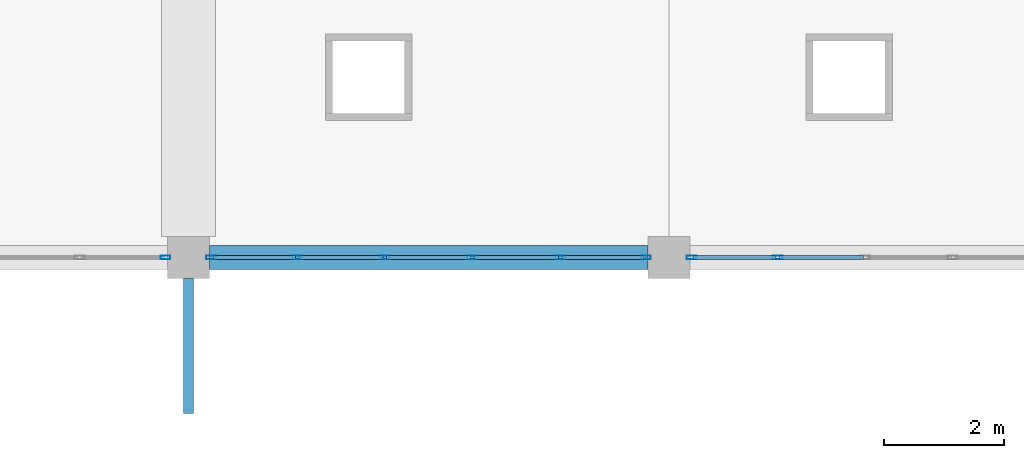
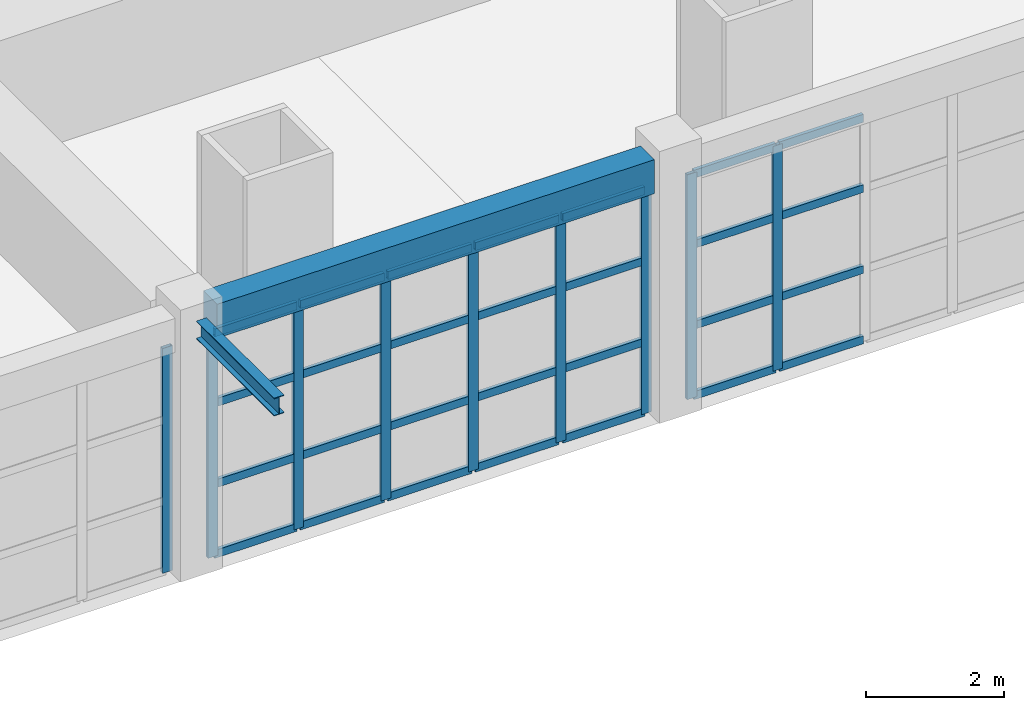
# One storey, part 7 of 50: 37 members, 2 beams, 3 elements without a shape of their own.
"""IFC4 building model written with IfcOpenShell, lengths in metres."""

from ifc_helpers import new_model, si_unit, direction, frame, origin, origin_2d, place, context, subcontext, project, spatial, rectangle, hollow_rectangle, i_section, extrude, material, material_profile, profile_set, type_object, element, aggregate, save


model = new_model("IFC4")

# Units and contexts
model_context = context("Model", 3, precision=1e-05, world=origin(), true_north=direction((0.0, 1.0)))
body_context = subcontext(model_context, "Body", "Model", "MODEL_VIEW")
ifc_project = project(units=[si_unit("LENGTHUNIT", "METRE"), si_unit("AREAUNIT", "SQUARE_METRE"), si_unit("VOLUMEUNIT", "CUBIC_METRE"), si_unit("PLANEANGLEUNIT", "RADIAN"), si_unit("MASSUNIT", "GRAM", prefix="KILO")], contexts=[model_context])

# Site, building, storey
site_placement = place(None, origin())
site = spatial("IfcSite", under=ifc_project, at=site_placement, CompositionType="ELEMENT")
building_placement = place(site_placement, origin())
building = spatial("IfcBuilding", under=site, at=building_placement, Name="Zantavel Square City Hall", CompositionType="ELEMENT")
storey_placement = place(building_placement, frame((0.0, 0.0, 18.89990234375)))
storey = spatial("IfcBuildingStorey", under=building, at=storey_placement, Name="L05", CompositionType="ELEMENT", Elevation=18.89990234375)

# Curtain wall, members
ifc_material_1 = material(Name="Anodised aluminium 6063-T6", Category="aluminium")
curtain_wall_type = type_object("IfcCurtainWallType", Name="Curtain Wall TRV1 7300x3970", PredefinedType="USERDEFINED", material=ifc_material_1)
curtain_wall_1_placement = place(storey_placement, origin())
curtain_wall_1 = element("IfcCurtainWall", 1, at=curtain_wall_1_placement, inside=storey, type_object=curtain_wall_type, Name="L05 Glazed Curtain Wall CW-L05-136", ObjectType="GLAZED CURTAIN WALL", PredefinedType="USERDEFINED")
ifc_material_profile_1 = material_profile(ifc_material_1, hollow_rectangle(XDim=0.06005859375, YDim=0.1650390625, WallThickness=0.00390625, at=origin_2d()), Name="ALU 60x165x4")
ifc_profile_set_1 = profile_set([ifc_material_profile_1], Name="Anodised aluminium 6063-T6")
member_type_1 = type_object("IfcMemberType", Name="CW Council Gallery Mullion ALU 60x165x4", PredefinedType="MULLION", material=ifc_profile_set_1)
member_1_placement = place(storey_placement, frame((81.81005859375, 30.39990234375, 0.0), z_axis=(0.0, 0.0, 1.0), x_axis=(0.0, -1.0, 0.0)))
member_1 = element("IfcMember", 2, at=member_1_placement, type_object=member_type_1, Name="CW-136 mullion 5", PredefinedType="MULLION", context=body_context, shape_type="SweptSolid", body=[
    extrude(hollow_rectangle(XDim=0.06005859375, YDim=0.1650390625, WallThickness=0.00390625, at=origin_2d()), origin(), (0.0, 0.0, 1.0), 3.97021484375),
])
member_2_placement = place(storey_placement, frame((80.3798828125, 30.39990234375, 0.0), z_axis=(0.0, 0.0, 1.0), x_axis=(0.0, -1.0, 0.0)))
member_2 = element("IfcMember", 3, at=member_2_placement, type_object=member_type_1, Name="CW-136 mullion 6", PredefinedType="MULLION", context=body_context, shape_type="SweptSolid", body=[
    extrude(hollow_rectangle(XDim=0.06005859375, YDim=0.1650390625, WallThickness=0.00390625, at=origin_2d()), origin(), (0.0, 0.0, 1.0), 3.97021484375),
])

curtain_wall_2_placement = place(storey_placement, origin())
curtain_wall_2 = element("IfcCurtainWall", 4, at=curtain_wall_2_placement, inside=storey, type_object=curtain_wall_type, Name="L05 Glazed Curtain Wall CW-L05-137", ObjectType="GLAZED CURTAIN WALL", PredefinedType="USERDEFINED")
member_3_placement = place(storey_placement, frame((79.6201171875, 30.39990234375, 0.0), z_axis=(0.0, 0.0, 1.0), x_axis=(0.0, -1.0, 0.0)))
member_3 = element("IfcMember", 5, at=member_3_placement, type_object=member_type_1, Name="CW-137 mullion 1", PredefinedType="MULLION", context=body_context, shape_type="SweptSolid", body=[
    extrude(hollow_rectangle(XDim=0.06005859375, YDim=0.1650390625, WallThickness=0.00390625, at=origin_2d()), origin(), (0.0, 0.0, 1.0), 3.97021484375),
])
member_4_placement = place(storey_placement, frame((78.18994140625, 30.39990234375, 0.0), z_axis=(0.0, 0.0, 1.0), x_axis=(0.0, -1.0, 0.0)))
member_4 = element("IfcMember", 6, at=member_4_placement, type_object=member_type_1, Name="CW-137 mullion 2", PredefinedType="MULLION", context=body_context, shape_type="SweptSolid", body=[
    extrude(hollow_rectangle(XDim=0.06005859375, YDim=0.1650390625, WallThickness=0.00390625, at=origin_2d()), origin(), (0.0, 0.0, 1.0), 3.97021484375),
])
member_5_placement = place(storey_placement, frame((76.72998046875, 30.39990234375, 0.0), z_axis=(0.0, 0.0, 1.0), x_axis=(0.0, -1.0, 0.0)))
member_5 = element("IfcMember", 7, at=member_5_placement, type_object=member_type_1, Name="CW-137 mullion 3", PredefinedType="MULLION", context=body_context, shape_type="SweptSolid", body=[
    extrude(hollow_rectangle(XDim=0.06005859375, YDim=0.1650390625, WallThickness=0.00390625, at=origin_2d()), origin(), (0.0, 0.0, 1.0), 3.97021484375),
])
member_6_placement = place(storey_placement, frame((75.27001953125, 30.39990234375, 0.0), z_axis=(0.0, 0.0, 1.0), x_axis=(0.0, -1.0, 0.0)))
member_6 = element("IfcMember", 8, at=member_6_placement, type_object=member_type_1, Name="CW-137 mullion 4", PredefinedType="MULLION", context=body_context, shape_type="SweptSolid", body=[
    extrude(hollow_rectangle(XDim=0.06005859375, YDim=0.1650390625, WallThickness=0.00390625, at=origin_2d()), origin(), (0.0, 0.0, 1.0), 3.97021484375),
])
member_7_placement = place(storey_placement, frame((73.81005859375, 30.39990234375, 0.0), z_axis=(0.0, 0.0, 1.0), x_axis=(0.0, -1.0, 0.0)))
member_7 = element("IfcMember", 9, at=member_7_placement, type_object=member_type_1, Name="CW-137 mullion 5", PredefinedType="MULLION", context=body_context, shape_type="SweptSolid", body=[
    extrude(hollow_rectangle(XDim=0.06005859375, YDim=0.1650390625, WallThickness=0.00390625, at=origin_2d()), origin(), (0.0, 0.0, 1.0), 3.97021484375),
])
member_8_placement = place(storey_placement, frame((72.3798828125, 30.39990234375, 0.0), z_axis=(0.0, 0.0, 1.0), x_axis=(0.0, -1.0, 0.0)))
member_8 = element("IfcMember", 10, at=member_8_placement, type_object=member_type_1, Name="CW-137 mullion 6", PredefinedType="MULLION", context=body_context, shape_type="SweptSolid", body=[
    extrude(hollow_rectangle(XDim=0.06005859375, YDim=0.1650390625, WallThickness=0.00390625, at=origin_2d()), origin(), (0.0, 0.0, 1.0), 3.97021484375),
])

# Curtain wall, member
curtain_wall_3_placement = place(storey_placement, origin())
curtain_wall_3 = element("IfcCurtainWall", 11, at=curtain_wall_3_placement, inside=storey, type_object=curtain_wall_type, Name="L05 Glazed Curtain Wall CW-L05-138", ObjectType="GLAZED CURTAIN WALL", PredefinedType="USERDEFINED")
member_9_placement = place(storey_placement, frame((71.6201171875, 30.39990234375, 0.0), z_axis=(0.0, 0.0, 1.0), x_axis=(0.0, -1.0, 0.0)))
member_9 = element("IfcMember", 12, at=member_9_placement, type_object=member_type_1, Name="CW-138 mullion 1", PredefinedType="MULLION", context=body_context, shape_type="SweptSolid", body=[
    extrude(hollow_rectangle(XDim=0.06005859375, YDim=0.1650390625, WallThickness=0.00390625, at=origin_2d()), origin(), (0.0, 0.0, 1.0), 3.97021484375),
])
aggregate(curtain_wall_3, [member_9])

# Member
ifc_material_profile_2 = material_profile(ifc_material_1, hollow_rectangle(XDim=0.06005859375, YDim=0.139892578125, WallThickness=0.00390625, at=origin_2d()), Name="ALU 60x140x4")
ifc_profile_set_2 = profile_set([ifc_material_profile_2], Name="Anodised aluminium 6063-T6")
member_type_2 = type_object("IfcMemberType", Name="CW Transom ALU 60x140x4", PredefinedType="USERDEFINED", material=ifc_profile_set_2)
member_10_placement = place(storey_placement, frame((83.239990234375, 30.39990234375, 0.030029296875), z_axis=(-1.0, 0.0, 0.0), x_axis=(0.0, -1.0, 0.0)))
member_10 = element("IfcMember", 13, at=member_10_placement, type_object=member_type_2, Name="CW-136 transom 4.1", ObjectType="TRANSOM", PredefinedType="USERDEFINED", context=body_context, shape_type="SweptSolid", body=[
    extrude(hollow_rectangle(XDim=0.06005859375, YDim=0.139892578125, WallThickness=0.00390625, at=origin_2d()), origin(), (0.0, 0.0, 1.0), 1.39990234375),
])

member_11_placement = place(storey_placement, frame((83.239990234375, 30.39990234375, 1.27001953125), z_axis=(-1.0, 0.0, 0.0), x_axis=(0.0, -1.0, 0.0)))
member_11 = element("IfcMember", 14, at=member_11_placement, type_object=member_type_2, Name="CW-136 transom 4.2", ObjectType="TRANSOM", PredefinedType="USERDEFINED", context=body_context, shape_type="SweptSolid", body=[
    extrude(hollow_rectangle(XDim=0.06005859375, YDim=0.139892578125, WallThickness=0.00390625, at=origin_2d()), origin(), (0.0, 0.0, 1.0), 1.39990234375),
])

member_12_placement = place(storey_placement, frame((83.239990234375, 30.39990234375, 2.7001953125), z_axis=(-1.0, 0.0, 0.0), x_axis=(0.0, -1.0, 0.0)))
member_12 = element("IfcMember", 15, at=member_12_placement, type_object=member_type_2, Name="CW-136 transom 4.3", ObjectType="TRANSOM", PredefinedType="USERDEFINED", context=body_context, shape_type="SweptSolid", body=[
    extrude(hollow_rectangle(XDim=0.06005859375, YDim=0.139892578125, WallThickness=0.00390625, at=origin_2d()), origin(), (0.0, 0.0, 1.0), 1.39990234375),
])

member_13_placement = place(storey_placement, frame((83.239990234375, 30.39990234375, 3.940185546875), z_axis=(-1.0, 0.0, 0.0), x_axis=(0.0, -1.0, 0.0)))
member_13 = element("IfcMember", 16, at=member_13_placement, type_object=member_type_2, Name="CW-136 transom 4.4", ObjectType="TRANSOM", PredefinedType="USERDEFINED", context=body_context, shape_type="SweptSolid", body=[
    extrude(hollow_rectangle(XDim=0.06005859375, YDim=0.139892578125, WallThickness=0.00390625, at=origin_2d()), origin(), (0.0, 0.0, 1.0), 1.39990234375),
])

member_14_placement = place(storey_placement, frame((81.780029296875, 30.39990234375, 0.030029296875), z_axis=(-1.0, 0.0, 0.0), x_axis=(0.0, -1.0, 0.0)))
member_14 = element("IfcMember", 17, at=member_14_placement, type_object=member_type_2, Name="CW-136 transom 5.1", ObjectType="TRANSOM", PredefinedType="USERDEFINED", context=body_context, shape_type="SweptSolid", body=[
    extrude(hollow_rectangle(XDim=0.06005859375, YDim=0.139892578125, WallThickness=0.00390625, at=origin_2d()), origin(), (0.0, 0.0, 1.0), 1.3701171875),
])

member_15_placement = place(storey_placement, frame((81.780029296875, 30.39990234375, 1.27001953125), z_axis=(-1.0, 0.0, 0.0), x_axis=(0.0, -1.0, 0.0)))
member_15 = element("IfcMember", 18, at=member_15_placement, type_object=member_type_2, Name="CW-136 transom 5.2", ObjectType="TRANSOM", PredefinedType="USERDEFINED", context=body_context, shape_type="SweptSolid", body=[
    extrude(hollow_rectangle(XDim=0.06005859375, YDim=0.139892578125, WallThickness=0.00390625, at=origin_2d()), origin(), (0.0, 0.0, 1.0), 1.3701171875),
])

member_16_placement = place(storey_placement, frame((81.780029296875, 30.39990234375, 2.7001953125), z_axis=(-1.0, 0.0, 0.0), x_axis=(0.0, -1.0, 0.0)))
member_16 = element("IfcMember", 19, at=member_16_placement, type_object=member_type_2, Name="CW-136 transom 5.3", ObjectType="TRANSOM", PredefinedType="USERDEFINED", context=body_context, shape_type="SweptSolid", body=[
    extrude(hollow_rectangle(XDim=0.06005859375, YDim=0.139892578125, WallThickness=0.00390625, at=origin_2d()), origin(), (0.0, 0.0, 1.0), 1.3701171875),
])

member_17_placement = place(storey_placement, frame((81.780029296875, 30.39990234375, 3.940185546875), z_axis=(-1.0, 0.0, 0.0), x_axis=(0.0, -1.0, 0.0)))
member_17 = element("IfcMember", 20, at=member_17_placement, type_object=member_type_2, Name="CW-136 transom 5.4", ObjectType="TRANSOM", PredefinedType="USERDEFINED", context=body_context, shape_type="SweptSolid", body=[
    extrude(hollow_rectangle(XDim=0.06005859375, YDim=0.139892578125, WallThickness=0.00390625, at=origin_2d()), origin(), (0.0, 0.0, 1.0), 1.3701171875),
])

aggregate(curtain_wall_1, [member_1, member_2, member_10, member_11, member_12, member_13, member_14, member_15, member_16, member_17])

member_18_placement = place(storey_placement, frame((79.590087890625, 30.39990234375, 0.030029296875), z_axis=(-1.0, 0.0, 0.0), x_axis=(0.0, -1.0, 0.0)))
member_18 = element("IfcMember", 21, at=member_18_placement, type_object=member_type_2, Name="CW-137 transom 1.1", ObjectType="TRANSOM", PredefinedType="USERDEFINED", context=body_context, shape_type="SweptSolid", body=[
    extrude(hollow_rectangle(XDim=0.06005859375, YDim=0.139892578125, WallThickness=0.00390625, at=origin_2d()), origin(), (0.0, 0.0, 1.0), 1.3701171875),
])

member_19_placement = place(storey_placement, frame((79.590087890625, 30.39990234375, 1.27001953125), z_axis=(-1.0, 0.0, 0.0), x_axis=(0.0, -1.0, 0.0)))
member_19 = element("IfcMember", 22, at=member_19_placement, type_object=member_type_2, Name="CW-137 transom 1.2", ObjectType="TRANSOM", PredefinedType="USERDEFINED", context=body_context, shape_type="SweptSolid", body=[
    extrude(hollow_rectangle(XDim=0.06005859375, YDim=0.139892578125, WallThickness=0.00390625, at=origin_2d()), origin(), (0.0, 0.0, 1.0), 1.3701171875),
])

member_20_placement = place(storey_placement, frame((79.590087890625, 30.39990234375, 2.7001953125), z_axis=(-1.0, 0.0, 0.0), x_axis=(0.0, -1.0, 0.0)))
member_20 = element("IfcMember", 23, at=member_20_placement, type_object=member_type_2, Name="CW-137 transom 1.3", ObjectType="TRANSOM", PredefinedType="USERDEFINED", context=body_context, shape_type="SweptSolid", body=[
    extrude(hollow_rectangle(XDim=0.06005859375, YDim=0.139892578125, WallThickness=0.00390625, at=origin_2d()), origin(), (0.0, 0.0, 1.0), 1.3701171875),
])

member_21_placement = place(storey_placement, frame((79.590087890625, 30.39990234375, 3.940185546875), z_axis=(-1.0, 0.0, 0.0), x_axis=(0.0, -1.0, 0.0)))
member_21 = element("IfcMember", 24, at=member_21_placement, type_object=member_type_2, Name="CW-137 transom 1.4", ObjectType="TRANSOM", PredefinedType="USERDEFINED", context=body_context, shape_type="SweptSolid", body=[
    extrude(hollow_rectangle(XDim=0.06005859375, YDim=0.139892578125, WallThickness=0.00390625, at=origin_2d()), origin(), (0.0, 0.0, 1.0), 1.3701171875),
])

member_22_placement = place(storey_placement, frame((78.159912109375, 30.39990234375, 0.030029296875), z_axis=(-1.0, 0.0, 0.0), x_axis=(0.0, -1.0, 0.0)))
member_22 = element("IfcMember", 25, at=member_22_placement, type_object=member_type_2, Name="CW-137 transom 2.1", ObjectType="TRANSOM", PredefinedType="USERDEFINED", context=body_context, shape_type="SweptSolid", body=[
    extrude(hollow_rectangle(XDim=0.06005859375, YDim=0.139892578125, WallThickness=0.00390625, at=origin_2d()), origin(), (0.0, 0.0, 1.0), 1.39990234375),
])

member_23_placement = place(storey_placement, frame((78.159912109375, 30.39990234375, 1.27001953125), z_axis=(-1.0, 0.0, 0.0), x_axis=(0.0, -1.0, 0.0)))
member_23 = element("IfcMember", 26, at=member_23_placement, type_object=member_type_2, Name="CW-137 transom 2.2", ObjectType="TRANSOM", PredefinedType="USERDEFINED", context=body_context, shape_type="SweptSolid", body=[
    extrude(hollow_rectangle(XDim=0.06005859375, YDim=0.139892578125, WallThickness=0.00390625, at=origin_2d()), origin(), (0.0, 0.0, 1.0), 1.39990234375),
])

member_24_placement = place(storey_placement, frame((78.159912109375, 30.39990234375, 2.7001953125), z_axis=(-1.0, 0.0, 0.0), x_axis=(0.0, -1.0, 0.0)))
member_24 = element("IfcMember", 27, at=member_24_placement, type_object=member_type_2, Name="CW-137 transom 2.3", ObjectType="TRANSOM", PredefinedType="USERDEFINED", context=body_context, shape_type="SweptSolid", body=[
    extrude(hollow_rectangle(XDim=0.06005859375, YDim=0.139892578125, WallThickness=0.00390625, at=origin_2d()), origin(), (0.0, 0.0, 1.0), 1.39990234375),
])

member_25_placement = place(storey_placement, frame((78.159912109375, 30.39990234375, 3.940185546875), z_axis=(-1.0, 0.0, 0.0), x_axis=(0.0, -1.0, 0.0)))
member_25 = element("IfcMember", 28, at=member_25_placement, type_object=member_type_2, Name="CW-137 transom 2.4", ObjectType="TRANSOM", PredefinedType="USERDEFINED", context=body_context, shape_type="SweptSolid", body=[
    extrude(hollow_rectangle(XDim=0.06005859375, YDim=0.139892578125, WallThickness=0.00390625, at=origin_2d()), origin(), (0.0, 0.0, 1.0), 1.39990234375),
])

member_26_placement = place(storey_placement, frame((76.699951171875, 30.39990234375, 0.030029296875), z_axis=(-1.0, 0.0, 0.0), x_axis=(0.0, -1.0, 0.0)))
member_26 = element("IfcMember", 29, at=member_26_placement, type_object=member_type_2, Name="CW-137 transom 3.1", ObjectType="TRANSOM", PredefinedType="USERDEFINED", context=body_context, shape_type="SweptSolid", body=[
    extrude(hollow_rectangle(XDim=0.06005859375, YDim=0.139892578125, WallThickness=0.00390625, at=origin_2d()), origin(), (0.0, 0.0, 1.0), 1.39990234375),
])

member_27_placement = place(storey_placement, frame((76.699951171875, 30.39990234375, 1.27001953125), z_axis=(-1.0, 0.0, 0.0), x_axis=(0.0, -1.0, 0.0)))
member_27 = element("IfcMember", 30, at=member_27_placement, type_object=member_type_2, Name="CW-137 transom 3.2", ObjectType="TRANSOM", PredefinedType="USERDEFINED", context=body_context, shape_type="SweptSolid", body=[
    extrude(hollow_rectangle(XDim=0.06005859375, YDim=0.139892578125, WallThickness=0.00390625, at=origin_2d()), origin(), (0.0, 0.0, 1.0), 1.39990234375),
])

member_28_placement = place(storey_placement, frame((76.699951171875, 30.39990234375, 2.7001953125), z_axis=(-1.0, 0.0, 0.0), x_axis=(0.0, -1.0, 0.0)))
member_28 = element("IfcMember", 31, at=member_28_placement, type_object=member_type_2, Name="CW-137 transom 3.3", ObjectType="TRANSOM", PredefinedType="USERDEFINED", context=body_context, shape_type="SweptSolid", body=[
    extrude(hollow_rectangle(XDim=0.06005859375, YDim=0.139892578125, WallThickness=0.00390625, at=origin_2d()), origin(), (0.0, 0.0, 1.0), 1.39990234375),
])

member_29_placement = place(storey_placement, frame((76.699951171875, 30.39990234375, 3.940185546875), z_axis=(-1.0, 0.0, 0.0), x_axis=(0.0, -1.0, 0.0)))
member_29 = element("IfcMember", 32, at=member_29_placement, type_object=member_type_2, Name="CW-137 transom 3.4", ObjectType="TRANSOM", PredefinedType="USERDEFINED", context=body_context, shape_type="SweptSolid", body=[
    extrude(hollow_rectangle(XDim=0.06005859375, YDim=0.139892578125, WallThickness=0.00390625, at=origin_2d()), origin(), (0.0, 0.0, 1.0), 1.39990234375),
])

member_30_placement = place(storey_placement, frame((75.239990234375, 30.39990234375, 0.030029296875), z_axis=(-1.0, 0.0, 0.0), x_axis=(0.0, -1.0, 0.0)))
member_30 = element("IfcMember", 33, at=member_30_placement, type_object=member_type_2, Name="CW-137 transom 4.1", ObjectType="TRANSOM", PredefinedType="USERDEFINED", context=body_context, shape_type="SweptSolid", body=[
    extrude(hollow_rectangle(XDim=0.06005859375, YDim=0.139892578125, WallThickness=0.00390625, at=origin_2d()), origin(), (0.0, 0.0, 1.0), 1.39990234375),
])

member_31_placement = place(storey_placement, frame((75.239990234375, 30.39990234375, 1.27001953125), z_axis=(-1.0, 0.0, 0.0), x_axis=(0.0, -1.0, 0.0)))
member_31 = element("IfcMember", 34, at=member_31_placement, type_object=member_type_2, Name="CW-137 transom 4.2", ObjectType="TRANSOM", PredefinedType="USERDEFINED", context=body_context, shape_type="SweptSolid", body=[
    extrude(hollow_rectangle(XDim=0.06005859375, YDim=0.139892578125, WallThickness=0.00390625, at=origin_2d()), origin(), (0.0, 0.0, 1.0), 1.39990234375),
])

member_32_placement = place(storey_placement, frame((75.239990234375, 30.39990234375, 2.7001953125), z_axis=(-1.0, 0.0, 0.0), x_axis=(0.0, -1.0, 0.0)))
member_32 = element("IfcMember", 35, at=member_32_placement, type_object=member_type_2, Name="CW-137 transom 4.3", ObjectType="TRANSOM", PredefinedType="USERDEFINED", context=body_context, shape_type="SweptSolid", body=[
    extrude(hollow_rectangle(XDim=0.06005859375, YDim=0.139892578125, WallThickness=0.00390625, at=origin_2d()), origin(), (0.0, 0.0, 1.0), 1.39990234375),
])

member_33_placement = place(storey_placement, frame((75.239990234375, 30.39990234375, 3.940185546875), z_axis=(-1.0, 0.0, 0.0), x_axis=(0.0, -1.0, 0.0)))
member_33 = element("IfcMember", 36, at=member_33_placement, type_object=member_type_2, Name="CW-137 transom 4.4", ObjectType="TRANSOM", PredefinedType="USERDEFINED", context=body_context, shape_type="SweptSolid", body=[
    extrude(hollow_rectangle(XDim=0.06005859375, YDim=0.139892578125, WallThickness=0.00390625, at=origin_2d()), origin(), (0.0, 0.0, 1.0), 1.39990234375),
])

member_34_placement = place(storey_placement, frame((73.780029296875, 30.39990234375, 0.030029296875), z_axis=(-1.0, 0.0, 0.0), x_axis=(0.0, -1.0, 0.0)))
member_34 = element("IfcMember", 37, at=member_34_placement, type_object=member_type_2, Name="CW-137 transom 5.1", ObjectType="TRANSOM", PredefinedType="USERDEFINED", context=body_context, shape_type="SweptSolid", body=[
    extrude(hollow_rectangle(XDim=0.06005859375, YDim=0.139892578125, WallThickness=0.00390625, at=origin_2d()), origin(), (0.0, 0.0, 1.0), 1.3701171875),
])

member_35_placement = place(storey_placement, frame((73.780029296875, 30.39990234375, 1.27001953125), z_axis=(-1.0, 0.0, 0.0), x_axis=(0.0, -1.0, 0.0)))
member_35 = element("IfcMember", 38, at=member_35_placement, type_object=member_type_2, Name="CW-137 transom 5.2", ObjectType="TRANSOM", PredefinedType="USERDEFINED", context=body_context, shape_type="SweptSolid", body=[
    extrude(hollow_rectangle(XDim=0.06005859375, YDim=0.139892578125, WallThickness=0.00390625, at=origin_2d()), origin(), (0.0, 0.0, 1.0), 1.3701171875),
])

member_36_placement = place(storey_placement, frame((73.780029296875, 30.39990234375, 2.7001953125), z_axis=(-1.0, 0.0, 0.0), x_axis=(0.0, -1.0, 0.0)))
member_36 = element("IfcMember", 39, at=member_36_placement, type_object=member_type_2, Name="CW-137 transom 5.3", ObjectType="TRANSOM", PredefinedType="USERDEFINED", context=body_context, shape_type="SweptSolid", body=[
    extrude(hollow_rectangle(XDim=0.06005859375, YDim=0.139892578125, WallThickness=0.00390625, at=origin_2d()), origin(), (0.0, 0.0, 1.0), 1.3701171875),
])

member_37_placement = place(storey_placement, frame((73.780029296875, 30.39990234375, 3.940185546875), z_axis=(-1.0, 0.0, 0.0), x_axis=(0.0, -1.0, 0.0)))
member_37 = element("IfcMember", 40, at=member_37_placement, type_object=member_type_2, Name="CW-137 transom 5.4", ObjectType="TRANSOM", PredefinedType="USERDEFINED", context=body_context, shape_type="SweptSolid", body=[
    extrude(hollow_rectangle(XDim=0.06005859375, YDim=0.139892578125, WallThickness=0.00390625, at=origin_2d()), origin(), (0.0, 0.0, 1.0), 1.3701171875),
])

aggregate(curtain_wall_2, [member_3, member_4, member_5, member_6, member_7, member_8, member_18, member_19, member_20, member_21, member_22, member_23, member_24, member_25, member_26, member_27, member_28, member_29, member_30, member_31, member_32, member_33, member_34, member_35, member_36, member_37])

# Beams
ifc_material_2 = material(Name="Concrete C35/45", Category="concrete")
ifc_material_profile_3 = material_profile(ifc_material_2, rectangle(XDim=0.39990234375, YDim=0.60009765625, at=origin_2d()), Name="RC 400x600")
ifc_profile_set_3 = profile_set([ifc_material_profile_3], Name="Concrete C35/45")
beam_type_1 = type_object("IfcBeamType", Name="Perimeter Spandrel RC 400x600 C35/45", PredefinedType="SPANDREL", material=ifc_profile_set_3)
beam_1_placement = place(storey_placement, frame((72.35009765625, 30.39990234375, 4.27001953125), z_axis=(1.0, 0.0, 0.0), x_axis=(0.0, 1.0, 0.0)))
element("IfcBeam", 41, at=beam_1_placement, inside=storey, type_object=beam_type_1, Name="L05 Girder BMX-L05-0720-0304", PredefinedType="SPANDREL", context=body_context, shape_type="SweptSolid", body=[
    extrude(rectangle(XDim=0.39990234375, YDim=0.60009765625, at=origin_2d()), origin(), (0.0, 0.0, 1.0), 7.2998046875),
])
ifc_material_3 = material(Name="Steel ASTM A992 Grade 50", Category="steel")
ifc_material_profile_4 = material_profile(ifc_material_3, i_section(OverallWidth=0.1669921875, OverallDepth=0.31689453125, WebThickness=0.007568359375, FlangeThickness=0.01318359375, at=origin_2d()), Name="W310x52")
ifc_profile_set_4 = profile_set([ifc_material_profile_4], Name="Steel ASTM A992 Grade 50")
beam_type_2 = type_object("IfcBeamType", Name="Tray Corner Cantilever Outrigger W310x52", PredefinedType="BEAM", material=ifc_profile_set_4)
beam_2_placement = place(storey_placement, frame((72.0, 30.050048828125, 4.361572265625), z_axis=(0.0, -1.0, 0.0), x_axis=(1.0, 0.0, 0.0)))
element("IfcBeam", 42, at=beam_2_placement, inside=storey, type_object=beam_type_2, Name="L05 Cantera Tray Outrigger S72", PredefinedType="BEAM", context=body_context, shape_type="SweptSolid", body=[
    extrude(i_section(OverallWidth=0.1669921875, OverallDepth=0.31689453125, WebThickness=0.007568359375, FlangeThickness=0.01318359375, at=origin_2d()), origin(), (0.0, 0.0, 1.0), 2.25),
])

save(model, "model.ifc")
